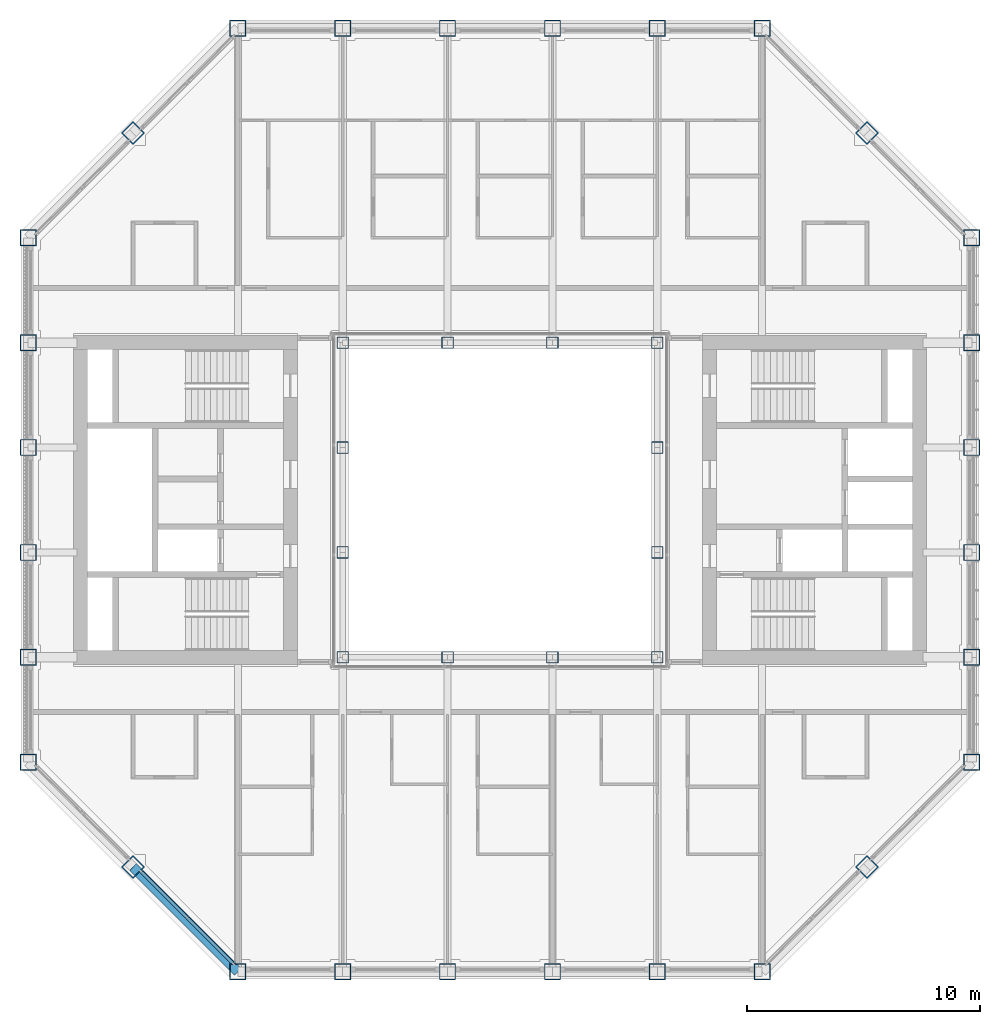
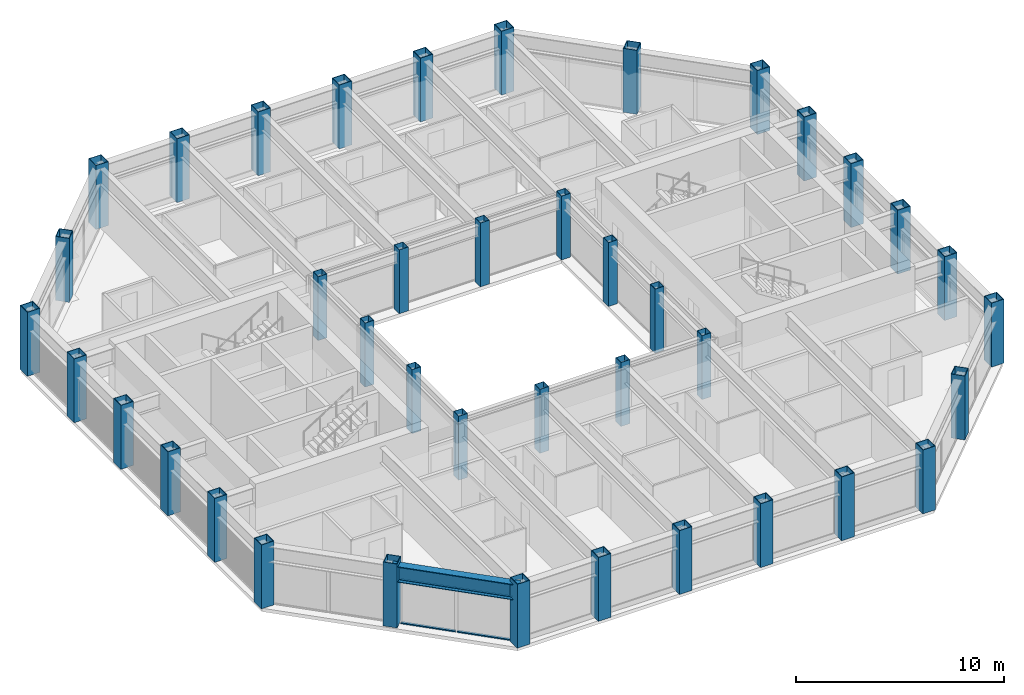
# One storey, part 1 of 17: 40 columns, 4 members, 1 beam, 1 element without a shape of its own.
"""IFC4 building model written with IfcOpenShell, lengths in metres."""

from ifc_helpers import new_model, si_unit, direction, frame, origin, origin_2d, place, context, subcontext, project, spatial, rectangle, hollow_rectangle, i_section, extrude, material, material_profile, profile_set, type_object, element, aggregate, save


model = new_model("IFC4")

# Units and contexts
model_context = context("Model", 3, precision=1e-05, world=origin(), true_north=direction((0.0, 1.0)))
body_context = subcontext(model_context, "Body", "Model", "MODEL_VIEW")
ifc_project = project(units=[si_unit("LENGTHUNIT", "METRE"), si_unit("AREAUNIT", "SQUARE_METRE"), si_unit("VOLUMEUNIT", "CUBIC_METRE"), si_unit("PLANEANGLEUNIT", "RADIAN"), si_unit("MASSUNIT", "GRAM", prefix="KILO")], contexts=[model_context])

# Site, building, storey
site_placement = place(None, origin())
site = spatial("IfcSite", under=ifc_project, at=site_placement, CompositionType="ELEMENT")
building_placement = place(site_placement, origin())
building = spatial("IfcBuilding", under=site, at=building_placement, Name="Msasa Ring Tower", CompositionType="ELEMENT")
storey_placement = place(building_placement, frame((0.0, 0.0, 253.300048828125)))
storey = spatial("IfcBuildingStorey", under=building, at=storey_placement, Name="L66", CompositionType="ELEMENT", Elevation=253.300048828125)

# Columns
ifc_material_1 = material(Name="Steel S355", Category="steel")
ifc_material_profile_1 = material_profile(ifc_material_1, hollow_rectangle(XDim=0.5, YDim=0.5, WallThickness=0.02490234375, at=origin_2d()), Name="BOX 500x500x25")
ifc_profile_set_1 = profile_set([ifc_material_profile_1], Name="Steel S355")
column_type_1 = type_object("IfcColumnType", Name="IC7 BOX 500x500x25", PredefinedType="COLUMN", material=ifc_profile_set_1)
for number, where, z_axis, x_axis, name in (
    (1, (-6.75, -6.75, 0.0), (0.0, 0.0, 1.0), (1.0, 0.0, 0.0), "Inner ring column IR-6.75-6.75 L66"),
    (2, (-6.75, -2.25, 0.0), (0.0, 0.0, 1.0), (1.0, 0.0, 0.0), "Inner ring column IR-6.75-2.25 L66"),
    (3, (-6.75, 2.25, 0.0), (0.0, 0.0, 1.0), (1.0, 0.0, 0.0), "Inner ring column IR-6.75+2.25 L66"),
    (4, (-6.75, 6.75, 0.0), (0.0, 0.0, 1.0), (1.0, 0.0, 0.0), "Inner ring column IR-6.75+6.75 L66"),
    (5, (-2.25, -6.75, 0.0), (0.0, 0.0, 1.0), (1.0, 0.0, 0.0), "Inner ring column IR-2.25-6.75 L66"),
    (6, (-2.25, 6.75, 0.0), (0.0, 0.0, 1.0), (1.0, 0.0, 0.0), "Inner ring column IR-2.25+6.75 L66"),
    (7, (2.25, -6.75, 0.0), (0.0, 0.0, 1.0), (1.0, 0.0, 0.0), "Inner ring column IR+2.25-6.75 L66"),
    (8, (2.25, 6.75, 0.0), (0.0, 0.0, 1.0), (1.0, 0.0, 0.0), "Inner ring column IR+2.25+6.75 L66"),
    (9, (6.75, -6.75, 0.0), (0.0, 0.0, 1.0), (1.0, 0.0, 0.0), "Inner ring column IR+6.75-6.75 L66"),
    (10, (6.75, -2.25, 0.0), (0.0, 0.0, 1.0), (1.0, 0.0, 0.0), "Inner ring column IR+6.75-2.25 L66"),
    (11, (6.75, 2.25, 0.0), (0.0, 0.0, 1.0), (1.0, 0.0, 0.0), "Inner ring column IR+6.75+2.25 L66"),
    (12, (6.75, 6.75, 0.0), (0.0, 0.0, 1.0), (1.0, 0.0, 0.0), "Inner ring column IR+6.75+6.75 L66"),
):
    element("IfcColumn", number, at=place(storey_placement, frame(where, z_axis=z_axis, x_axis=x_axis)), inside=storey, type_object=column_type_1, Name=name, PredefinedType="COLUMN", context=body_context, shape_type="SweptSolid", body=[
        extrude(hollow_rectangle(XDim=0.5, YDim=0.5, WallThickness=0.02490234375, at=origin_2d()), origin(), (0.0, 0.0, 1.0), 3.75),
    ])
ifc_material_2 = material(Name="Steel S355", Category="steel")
ifc_material_profile_2 = material_profile(ifc_material_2, hollow_rectangle(XDim=0.699951171875, YDim=0.699951171875, WallThickness=0.034912109375, at=origin_2d()), Name="BOX 700x700x35")
ifc_profile_set_2 = profile_set([ifc_material_profile_2], Name="Steel S355")
column_type_2 = type_object("IfcColumnType", Name="TC8 BOX 700x700x35", PredefinedType="COLUMN", material=ifc_profile_set_2)
for number, where, z_axis, x_axis, name in (
    (13, (-11.25, -20.25, 0.0), (0.0, 0.0, 1.0), (0.0, 1.0, 0.0), "Tube column S-11.25 L66"),
    (14, (-11.25, 20.25, 0.0), (0.0, 0.0, 1.0), (0.0, 1.0, 0.0), "Tube column N-11.25 L66"),
    (15, (20.25, -11.25, 0.0), (0.0, 0.0, 1.0), (1.0, 0.0, 0.0), "Tube column E-11.25 L66"),
    (16, (-20.25, -11.25, 0.0), (0.0, 0.0, 1.0), (1.0, 0.0, 0.0), "Tube column W-11.25 L66"),
    (17, (-6.75, -20.25, 0.0), (0.0, 0.0, 1.0), (0.0, 1.0, 0.0), "Tube column S-6.75 L66"),
    (18, (-6.75, 20.25, 0.0), (0.0, 0.0, 1.0), (0.0, 1.0, 0.0), "Tube column N-6.75 L66"),
    (19, (20.25, -6.75, 0.0), (0.0, 0.0, 1.0), (1.0, 0.0, 0.0), "Tube column E-6.75 L66"),
    (20, (-20.25, -6.75, 0.0), (0.0, 0.0, 1.0), (1.0, 0.0, 0.0), "Tube column W-6.75 L66"),
    (21, (-2.25, -20.25, 0.0), (0.0, 0.0, 1.0), (0.0, 1.0, 0.0), "Tube column S-2.25 L66"),
    (22, (-2.25, 20.25, 0.0), (0.0, 0.0, 1.0), (0.0, 1.0, 0.0), "Tube column N-2.25 L66"),
    (23, (20.25, -2.25, 0.0), (0.0, 0.0, 1.0), (1.0, 0.0, 0.0), "Tube column E-2.25 L66"),
    (24, (-20.25, -2.25, 0.0), (0.0, 0.0, 1.0), (1.0, 0.0, 0.0), "Tube column W-2.25 L66"),
    (25, (2.25, -20.25, 0.0), (0.0, 0.0, 1.0), (0.0, 1.0, 0.0), "Tube column S+2.25 L66"),
    (26, (2.25, 20.25, 0.0), (0.0, 0.0, 1.0), (0.0, 1.0, 0.0), "Tube column N+2.25 L66"),
    (27, (20.25, 2.25, 0.0), (0.0, 0.0, 1.0), (1.0, 0.0, 0.0), "Tube column E+2.25 L66"),
    (28, (-20.25, 2.25, 0.0), (0.0, 0.0, 1.0), (1.0, 0.0, 0.0), "Tube column W+2.25 L66"),
    (29, (6.75, -20.25, 0.0), (0.0, 0.0, 1.0), (0.0, 1.0, 0.0), "Tube column S+6.75 L66"),
    (30, (6.75, 20.25, 0.0), (0.0, 0.0, 1.0), (0.0, 1.0, 0.0), "Tube column N+6.75 L66"),
    (31, (20.25, 6.75, 0.0), (0.0, 0.0, 1.0), (1.0, 0.0, 0.0), "Tube column E+6.75 L66"),
    (32, (-20.25, 6.75, 0.0), (0.0, 0.0, 1.0), (1.0, 0.0, 0.0), "Tube column W+6.75 L66"),
    (33, (11.25, -20.25, 0.0), (0.0, 0.0, 1.0), (0.0, 1.0, 0.0), "Tube column S+11.25 L66"),
    (34, (11.25, 20.25, 0.0), (0.0, 0.0, 1.0), (0.0, 1.0, 0.0), "Tube column N+11.25 L66"),
    (35, (20.25, 11.25, 0.0), (0.0, 0.0, 1.0), (1.0, 0.0, 0.0), "Tube column E+11.25 L66"),
    (36, (-20.25, 11.25, 0.0), (0.0, 0.0, 1.0), (1.0, 0.0, 0.0), "Tube column W+11.25 L66"),
    (37, (15.75, -15.75, 0.0), (0.0, 0.0, 1.0), (0.707106781187, -0.707106781187, 0.0), "Tube column SE L66"),
    (38, (15.75, 15.75, 0.0), (0.0, 0.0, 1.0), (0.707106781187, 0.707106781187, 0.0), "Tube column NE L66"),
    (39, (-15.75, 15.75, 0.0), (0.0, 0.0, 1.0), (0.707106781187, -0.707106781187, 0.0), "Tube column NW L66"),
    (40, (-15.75, -15.75, 0.0), (0.0, 0.0, 1.0), (0.707106781187, 0.707106781187, 0.0), "Tube column SW L66"),
):
    element("IfcColumn", number, at=place(storey_placement, frame(where, z_axis=z_axis, x_axis=x_axis)), inside=storey, type_object=column_type_2, Name=name, PredefinedType="COLUMN", context=body_context, shape_type="SweptSolid", body=[
        extrude(hollow_rectangle(XDim=0.699951171875, YDim=0.699951171875, WallThickness=0.034912109375, at=origin_2d()), origin(), (0.0, 0.0, 1.0), 3.75),
    ])

# Curtain wall, members
ifc_material_3 = material(Name="Aluminium curtain wall with clear glass", Category="aluminium")
curtain_wall_type = type_object("IfcCurtainWallType", Name="CW-C CHAMFER CORNER CURTAIN WALL", PredefinedType="NOTDEFINED", material=ifc_material_3)
curtain_wall_placement = place(storey_placement, origin())
curtain_wall = element("IfcCurtainWall", 41, at=curtain_wall_placement, inside=storey, type_object=curtain_wall_type, Name="Chamfer corner curtain wall SW L66", PredefinedType="NOTDEFINED")
ifc_material_4 = material(Name="Aluminium transom", Category="aluminium")
ifc_material_profile_3 = material_profile(ifc_material_4, rectangle(XDim=0.139892578125, YDim=0.06494140625, at=origin_2d()), Name="AL 65x140")
ifc_profile_set_3 = profile_set([ifc_material_profile_3], Name="Aluminium transom")
member_type = type_object("IfcMemberType", Name="CW-C TRANSOM 65x140", PredefinedType="USERDEFINED", material=ifc_profile_set_3)
member_1_placement = place(storey_placement, frame((-15.38232421875, -15.976318359375, 0.032470703125), z_axis=(0.707106781187, -0.707106781187, 0.0), x_axis=(0.707106781187, 0.707106781187, 0.0)))
member_1 = element("IfcMember", 42, at=member_1_placement, type_object=member_type, Name="CW-C transom 1.1", ObjectType="TRANSOM", PredefinedType="USERDEFINED", context=body_context, shape_type="SweptSolid", body=[
    extrude(rectangle(XDim=0.139892578125, YDim=0.06494140625, at=origin_2d()), origin(), (0.0, 0.0, 1.0), 2.729248046875),
])
member_2_placement = place(storey_placement, frame((-15.38232421875, -15.976318359375, 2.54638671875), z_axis=(0.707106781187, -0.707106781187, 0.0), x_axis=(0.707106781187, 0.707106781187, 0.0)))
member_2 = element("IfcMember", 43, at=member_2_placement, type_object=member_type, Name="CW-C transom 1.2", ObjectType="TRANSOM", PredefinedType="USERDEFINED", context=body_context, shape_type="SweptSolid", body=[
    extrude(rectangle(XDim=0.139892578125, YDim=0.06494140625, at=origin_2d()), origin(), (0.0, 0.0, 1.0), 2.729248046875),
])
member_3_placement = place(storey_placement, frame((-13.40625, -17.952392578125, 0.032470703125), z_axis=(0.707106781187, -0.707106781187, 0.0), x_axis=(0.707106781187, 0.707106781187, 0.0)))
member_3 = element("IfcMember", 44, at=member_3_placement, type_object=member_type, Name="CW-C transom 2.1", ObjectType="TRANSOM", PredefinedType="USERDEFINED", context=body_context, shape_type="SweptSolid", body=[
    extrude(rectangle(XDim=0.139892578125, YDim=0.06494140625, at=origin_2d()), origin(), (0.0, 0.0, 1.0), 2.729248046875),
])
member_4_placement = place(storey_placement, frame((-13.40625, -17.952392578125, 2.54638671875), z_axis=(0.707106781187, -0.707106781187, 0.0), x_axis=(0.707106781187, 0.707106781187, 0.0)))
member_4 = element("IfcMember", 45, at=member_4_placement, type_object=member_type, Name="CW-C transom 2.2", ObjectType="TRANSOM", PredefinedType="USERDEFINED", context=body_context, shape_type="SweptSolid", body=[
    extrude(rectangle(XDim=0.139892578125, YDim=0.06494140625, at=origin_2d()), origin(), (0.0, 0.0, 1.0), 2.729248046875),
])
aggregate(curtain_wall, [member_1, member_2, member_3, member_4])

# Beam
ifc_material_5 = material(Name="Steel S355", Category="steel")
ifc_material_profile_4 = material_profile(ifc_material_5, i_section(OverallWidth=0.42041015625, OverallDepth=0.9208984375, WebThickness=0.021484375, FlangeThickness=0.03662109375, FilletRadius=0.024169921875, at=origin_2d()), Name="UB 914x419x388")
ifc_profile_set_4 = profile_set([ifc_material_profile_4], Name="Steel S355")
beam_type = type_object("IfcBeamType", Name="SB1 UB 914x419x388", PredefinedType="SPANDREL", material=ifc_profile_set_4)
beam_placement = place(storey_placement, frame((-15.75, -15.75, 3.03955078125), z_axis=(0.707106781187, -0.707106781187, 0.0), x_axis=(0.707106781187, 0.707106781187, 0.0)))
element("IfcBeam", 46, at=beam_placement, inside=storey, type_object=beam_type, Name="Spandrel SW to S-11.25 under L67", PredefinedType="SPANDREL", context=body_context, shape_type="SweptSolid", body=[
    extrude(i_section(OverallWidth=0.42041015625, OverallDepth=0.9208984375, WebThickness=0.021484375, FlangeThickness=0.03662109375, FilletRadius=0.024169921875, at=origin_2d()), origin(), (0.0, 0.0, 1.0), 6.364013671875),
])

save(model, "model.ifc")
